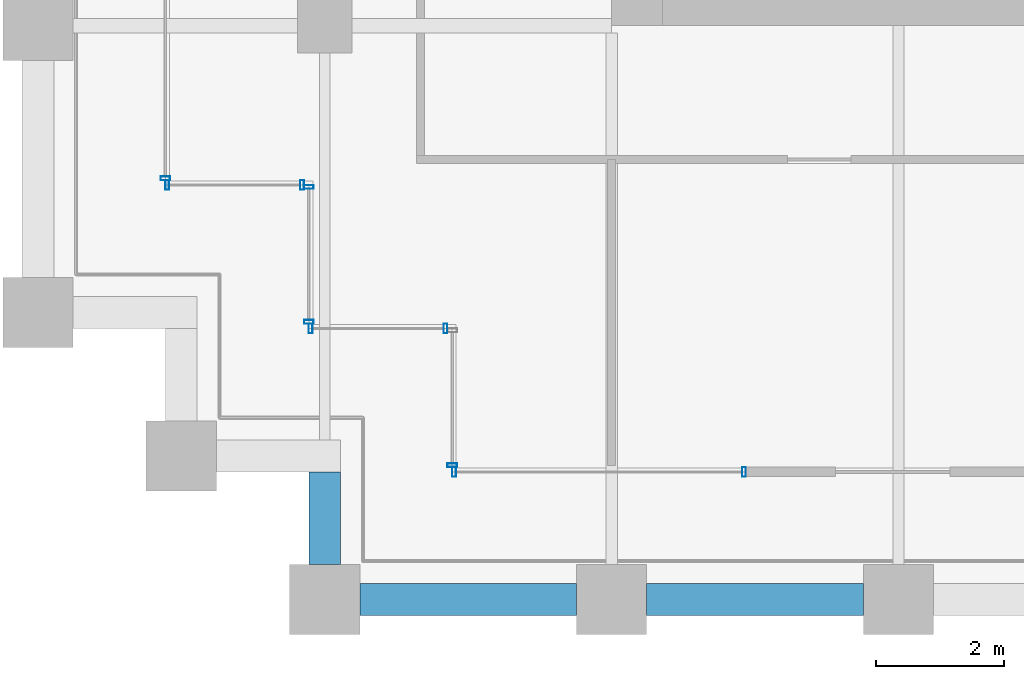
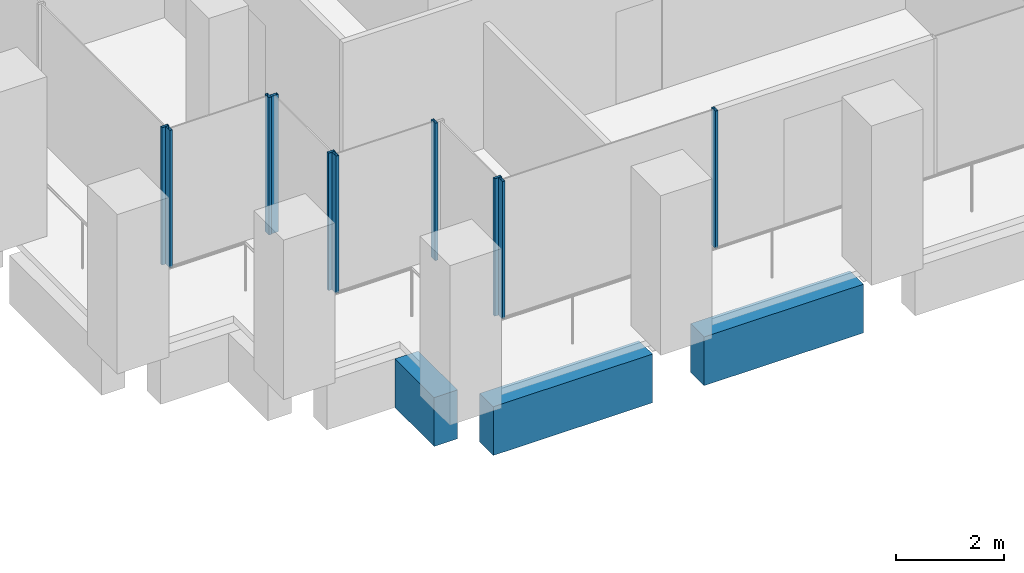
# One storey, part 34 of 56: 10 members, 3 beams, 6 elements without a shape of their own.
"""IFC4 building model written with IfcOpenShell, lengths in metres."""

import ifcopenshell
import ifcopenshell.guid

model = None  # the IFC model being written
_history = None  # IfcOwnerHistory: only IFC2X3 demands one
_inside = {}  # id of a spatial element -> (the spatial element, [elements in it])
_under = {}  # id of a project, library or spatial element -> (it, [spatial elements below it])
_declared = {}  # id of a project -> (the project, [libraries it declares])
_typed = {}  # id of a type object -> (the type object, [elements of that type])
_made_of = {}  # id of a material, layer set ... -> (it, [elements and type objects made of it])


def new_model(schema):
    """Start an empty IFC model of exactly this schema.

    Asked for "IFC4X3", IfcOpenShell would pick the latest addendum, in which some entities
    have other attributes; the version numbers below select the first issue.
    IFC2X3 requires an IfcOwnerHistory on every rooted entity: one is made here for all.
    """
    global model, _history
    if schema == "IFC4X3":
        model = ifcopenshell.file(schema_version=(4, 3, 0, 0))
    else:
        model = ifcopenshell.file(schema=schema)
    _inside.clear()
    _under.clear()
    _declared.clear()
    _typed.clear()
    _made_of.clear()
    _history = None
    if model.schema == "IFC2X3":
        org = make("IfcOrganization", Name="unknown")
        user = make(
            "IfcPersonAndOrganization",
            ThePerson=make("IfcPerson", FamilyName="unknown"),
            TheOrganization=org,
        )
        app = make(
            "IfcApplication",
            ApplicationDeveloper=org,
            Version="unknown",
            ApplicationFullName="unknown",
            ApplicationIdentifier="unknown",
        )
        _history = make(
            "IfcOwnerHistory",
            OwningUser=user,
            OwningApplication=app,
            ChangeAction="ADDED",
            CreationDate=0,
        )
    return model


def make(cls, **values):
    """One entity of the class cls with the attributes given. An attribute that is None is left unset."""
    return model.create_entity(
        cls, **{name: value for name, value in values.items() if value is not None}
    )


def rooted(cls, **values):
    """An entity with a GlobalId (a new one), such as an element, a storey or a relation."""
    return make(cls, GlobalId=ifcopenshell.guid.new(), OwnerHistory=_history, **values)


def si_unit(unit_type, name, prefix=None):
    """IfcSIUnit, for example si_unit("LENGTHUNIT", "METRE", prefix="MILLI")."""
    return make("IfcSIUnit", UnitType=unit_type, Prefix=prefix, Name=name)


def assignment(units):
    """IfcUnitAssignment: the units of a project."""
    return None if units is None else make("IfcUnitAssignment", Units=units)


def point(xyz):
    """IfcCartesianPoint."""
    return None if xyz is None else make("IfcCartesianPoint", Coordinates=xyz)


def direction(xyz):
    """IfcDirection."""
    return None if xyz is None else make("IfcDirection", DirectionRatios=xyz)


def frame(location, z_axis=None, x_axis=None):
    """IfcAxis2Placement3D, a coordinate frame: its origin and axes. An axis left out is left unset."""
    return make(
        "IfcAxis2Placement3D",
        Location=point(location),
        Axis=direction(z_axis),
        RefDirection=direction(x_axis),
    )


def frame_2d(location, x_axis=None):
    """IfcAxis2Placement2D, a coordinate frame in the plane: its origin and x axis."""
    return make(
        "IfcAxis2Placement2D", Location=point(location), RefDirection=direction(x_axis)
    )


def origin():
    """The frame at (0, 0, 0) with its axes left unset."""
    return frame((0.0, 0.0, 0.0))


def origin_2d():
    """The frame at (0, 0) in the plane with its x axis left unset."""
    return frame_2d((0.0, 0.0))


def place(relative_to, where):
    """IfcLocalPlacement: puts the frame where relative to a parent placement (None: the world)."""
    return make(
        "IfcLocalPlacement", PlacementRelTo=relative_to, RelativePlacement=where
    )


def context(
    kind, dimensions, precision=None, world=None, true_north=None, identifier=None
):
    """IfcGeometricRepresentationContext, for example the 3D "Model" context."""
    return make(
        "IfcGeometricRepresentationContext",
        ContextIdentifier=identifier,
        ContextType=kind,
        CoordinateSpaceDimension=dimensions,
        Precision=precision,
        WorldCoordinateSystem=world,
        TrueNorth=true_north,
    )


def subcontext(parent, identifier, kind, view, scale=None):
    """IfcGeometricRepresentationSubContext, for example "Body" below "Model"."""
    return make(
        "IfcGeometricRepresentationSubContext",
        ContextIdentifier=identifier,
        ContextType=kind,
        ParentContext=parent,
        TargetScale=scale,
        TargetView=view,
    )


def project(units=None, contexts=None):
    """IfcProject with its units and contexts."""
    return rooted(
        "IfcProject",
        Name="project",
        RepresentationContexts=contexts,
        UnitsInContext=assignment(units),
    )


def spatial(cls, under=None, at=None, **own):
    """A site, building, storey or space (cls), placed at a placement, below another one or the project."""
    s = rooted(cls, ObjectPlacement=at, **own)
    if under is not None:
        _under.setdefault(under.id(), (under, []))[1].append(s)
    return s


def profile(cls, at=None, kind="AREA", **sizes):
    """A parametric profile (cls). Its sizes go by their IFC names, for example OverallWidth=200.0."""
    return make(cls, ProfileType=kind, Position=at, **sizes)


def rectangle(**sizes):
    """IfcRectangleProfileDef."""
    return profile("IfcRectangleProfileDef", **sizes)


def hollow_rectangle(**sizes):
    """IfcRectangleHollowProfileDef."""
    return profile("IfcRectangleHollowProfileDef", **sizes)


def extrude(swept, where, along, depth):
    """IfcExtrudedAreaSolid: the profile swept, set in the frame where, extruded along a direction by depth."""
    return make(
        "IfcExtrudedAreaSolid",
        SweptArea=swept,
        Position=where,
        ExtrudedDirection=direction(along),
        Depth=depth,
    )


def shape(context_of_items, identifier, shape_type, items):
    """IfcShapeRepresentation: the items that make up one representation, for example the "Body"."""
    return make(
        "IfcShapeRepresentation",
        ContextOfItems=context_of_items,
        RepresentationIdentifier=identifier,
        RepresentationType=shape_type,
        Items=items,
    )


def material(Name=None, Category=None):
    """IfcMaterial."""
    return make("IfcMaterial", Name=Name, Category=Category)


def material_profile(
    of_material, cross_section, Name=None, Category=None, Priority=None
):
    """IfcMaterialProfile: a cross section and its material."""
    return make(
        "IfcMaterialProfile",
        Name=Name,
        Material=of_material,
        Profile=cross_section,
        Priority=Priority,
        Category=Category,
    )


def profile_set(profiles, Name=None, composite=None):
    """IfcMaterialProfileSet."""
    return make(
        "IfcMaterialProfileSet",
        Name=Name,
        MaterialProfiles=profiles,
        CompositeProfile=composite,
    )


def made_of(thing, what):
    """Note that an element or type object is made of a material, layer set ...; save() writes the relation."""
    if what is not None:
        _made_of.setdefault(what.id(), (what, []))[1].append(thing)
    return thing


def type_object(cls, material=None, **own):
    """A type object (cls), such as IfcWallType, which elements share."""
    return made_of(rooted(cls, **own), material)


def element(
    cls,
    number,
    at=None,
    inside=None,
    cuts=None,
    type_object=None,
    material=None,
    context=None,
    identifier="Body",
    shape_type=None,
    held_by="IfcProductDefinitionShape",
    body=None,
    shapes=None,
    **own,
):
    """One element of the class cls, such as IfcWall. Its Tag is "e" and its number.

    at: its placement. inside: the storey or other place that contains it. cuts: it is an
    opening in that element (IfcRelVoidsElement). A single representation is given by context,
    identifier, shape_type and body (its items); several are given by shapes. held_by: the class
    of the entity that holds the representations. save() writes the other relations.
    """
    e = rooted(cls, Tag="e%d" % number, ObjectPlacement=at, **own)
    if body is not None:
        shapes = [shape(context, identifier, shape_type, body)]
    if shapes is not None:
        e.Representation = make(held_by, Representations=shapes)
    if inside is not None:
        _inside.setdefault(inside.id(), (inside, []))[1].append(e)
    if cuts is not None:
        rooted(
            "IfcRelVoidsElement", RelatingBuildingElement=cuts, RelatedOpeningElement=e
        )
    if type_object is not None:
        _typed.setdefault(type_object.id(), (type_object, []))[1].append(e)
    return made_of(e, material)


def aggregate(whole, parts):
    """IfcRelAggregates: a whole, such as a stair, and the parts it consists of."""
    return rooted("IfcRelAggregates", RelatingObject=whole, RelatedObjects=parts)


def save(model, path):
    """Write the relations noted so far, then the file.

    IfcRelAggregates (storeys below a building ...), IfcRelContainedInSpatialStructure (elements
    in a storey), IfcRelDefinesByType, IfcRelAssociatesMaterial and IfcRelDeclares: one each for
    every whole, place, type object, material and project.
    """
    for whole, parts in _under.values():
        aggregate(whole, parts)
    for where, things in _inside.values():
        rooted(
            "IfcRelContainedInSpatialStructure",
            RelatedElements=things,
            RelatingStructure=where,
        )
    for kind, things in _typed.values():
        rooted("IfcRelDefinesByType", RelatedObjects=things, RelatingType=kind)
    for what, things in _made_of.values():
        rooted("IfcRelAssociatesMaterial", RelatedObjects=things, RelatingMaterial=what)
    for by, libraries in _declared.values():
        rooted("IfcRelDeclares", RelatingContext=by, RelatedDefinitions=libraries)
    model.write(path)


model = new_model("IFC4")

# Units and contexts
model_context = context("Model", 3, precision=1e-05, world=origin(), true_north=direction((0.0, 1.0)))
body_context = subcontext(model_context, "Body", "Model", "MODEL_VIEW")
ifc_project = project(units=[si_unit("LENGTHUNIT", "METRE"), si_unit("AREAUNIT", "SQUARE_METRE"), si_unit("VOLUMEUNIT", "CUBIC_METRE"), si_unit("PLANEANGLEUNIT", "RADIAN"), si_unit("MASSUNIT", "GRAM", prefix="KILO")], contexts=[model_context])

# Site, building, storey
site_placement = place(None, origin())
site = spatial("IfcSite", under=ifc_project, at=site_placement, CompositionType="ELEMENT")
building_placement = place(site_placement, origin())
building = spatial("IfcBuilding", under=site, at=building_placement, Name="Altepetl Exchange Towers", CompositionType="ELEMENT")
storey_placement = place(building_placement, frame((0.0, 0.0, 76.199951171875)))
storey = spatial("IfcBuildingStorey", under=building, at=storey_placement, Name="L18", CompositionType="ELEMENT", Elevation=76.199951171875)

# Curtain wall, member
ifc_material_1 = material(Name="Aluminium 6063-T6 glazing", Category="aluminium")
curtain_wall_type = type_object("IfcCurtainWallType", Name="Loggia glazing system", PredefinedType="NOTDEFINED", material=ifc_material_1)
curtain_wall_1_placement = place(storey_placement, origin())
curtain_wall_1 = element("IfcCurtainWall", 1, at=curtain_wall_1_placement, inside=storey, type_object=curtain_wall_type, Name="CW1 run", PredefinedType="NOTDEFINED")
ifc_material_2 = material(Name="Aluminium 6063-T6", Category="aluminium")
ifc_material_profile_1 = material_profile(ifc_material_2, hollow_rectangle(XDim=0.06005859375, YDim=0.14990234375, WallThickness=0.0029296875, at=origin_2d()), Name="Mullion 60x150 aluminium")
ifc_profile_set_1 = profile_set([ifc_material_profile_1], Name="Aluminium 6063-T6")
member_type = type_object("IfcMemberType", Name="Mullion 60x150 aluminium", PredefinedType="MULLION", material=ifc_profile_set_1)
member_1_placement = place(storey_placement, frame((96.5, 33.60498046875, 0.0), z_axis=(0.0, 0.0, 1.0), x_axis=(0.0, -1.0, 0.0)))
member_1 = element("IfcMember", 2, at=member_1_placement, type_object=member_type, Name="MU1 mullion", PredefinedType="MULLION", context=body_context, shape_type="SweptSolid", body=[
    extrude(hollow_rectangle(XDim=0.06005859375, YDim=0.14990234375, WallThickness=0.0029296875, at=origin_2d()), origin(), (0.0, 0.0, 1.0), 3.10009765625),
])
aggregate(curtain_wall_1, [member_1])

# Curtain wall, members
curtain_wall_2_placement = place(storey_placement, origin())
curtain_wall_2 = element("IfcCurtainWall", 3, at=curtain_wall_2_placement, inside=storey, type_object=curtain_wall_type, Name="CW1 run", PredefinedType="NOTDEFINED")
member_2_placement = place(storey_placement, frame((96.530029296875, 33.5, 0.0)))
member_2 = element("IfcMember", 4, at=member_2_placement, type_object=member_type, Name="MU1 mullion", PredefinedType="MULLION", context=body_context, shape_type="SweptSolid", body=[
    extrude(hollow_rectangle(XDim=0.06005859375, YDim=0.14990234375, WallThickness=0.0029296875, at=origin_2d()), origin(), (0.0, 0.0, 1.0), 3.10009765625),
])
member_3_placement = place(storey_placement, frame((98.64501953125, 33.5, 0.0)))
member_3 = element("IfcMember", 5, at=member_3_placement, type_object=member_type, Name="MU1 mullion", PredefinedType="MULLION", context=body_context, shape_type="SweptSolid", body=[
    extrude(hollow_rectangle(XDim=0.06005859375, YDim=0.14990234375, WallThickness=0.0029296875, at=origin_2d()), origin(), (0.0, 0.0, 1.0), 3.10009765625),
])
aggregate(curtain_wall_2, [member_2, member_3])

curtain_wall_3_placement = place(storey_placement, origin())
curtain_wall_3 = element("IfcCurtainWall", 6, at=curtain_wall_3_placement, inside=storey, type_object=curtain_wall_type, Name="CW1 run", PredefinedType="NOTDEFINED")
member_4_placement = place(storey_placement, frame((98.75, 33.469970703125, 0.0), z_axis=(0.0, 0.0, 1.0), x_axis=(0.0, -1.0, 0.0)))
member_4 = element("IfcMember", 7, at=member_4_placement, type_object=member_type, Name="MU1 mullion", PredefinedType="MULLION", context=body_context, shape_type="SweptSolid", body=[
    extrude(hollow_rectangle(XDim=0.06005859375, YDim=0.14990234375, WallThickness=0.0029296875, at=origin_2d()), origin(), (0.0, 0.0, 1.0), 3.10009765625),
])
member_5_placement = place(storey_placement, frame((98.75, 31.35498046875, 0.0), z_axis=(0.0, 0.0, 1.0), x_axis=(0.0, -1.0, 0.0)))
member_5 = element("IfcMember", 8, at=member_5_placement, type_object=member_type, Name="MU1 mullion", PredefinedType="MULLION", context=body_context, shape_type="SweptSolid", body=[
    extrude(hollow_rectangle(XDim=0.06005859375, YDim=0.14990234375, WallThickness=0.0029296875, at=origin_2d()), origin(), (0.0, 0.0, 1.0), 3.10009765625),
])
aggregate(curtain_wall_3, [member_4, member_5])

curtain_wall_4_placement = place(storey_placement, origin())
curtain_wall_4 = element("IfcCurtainWall", 9, at=curtain_wall_4_placement, inside=storey, type_object=curtain_wall_type, Name="CW1 run", PredefinedType="NOTDEFINED")
member_6_placement = place(storey_placement, frame((98.780029296875, 31.25, 0.0)))
member_6 = element("IfcMember", 10, at=member_6_placement, type_object=member_type, Name="MU1 mullion", PredefinedType="MULLION", context=body_context, shape_type="SweptSolid", body=[
    extrude(hollow_rectangle(XDim=0.06005859375, YDim=0.14990234375, WallThickness=0.0029296875, at=origin_2d()), origin(), (0.0, 0.0, 1.0), 3.10009765625),
])
member_7_placement = place(storey_placement, frame((100.89501953125, 31.25, 0.0)))
member_7 = element("IfcMember", 11, at=member_7_placement, type_object=member_type, Name="MU1 mullion", PredefinedType="MULLION", context=body_context, shape_type="SweptSolid", body=[
    extrude(hollow_rectangle(XDim=0.06005859375, YDim=0.14990234375, WallThickness=0.0029296875, at=origin_2d()), origin(), (0.0, 0.0, 1.0), 3.10009765625),
])
aggregate(curtain_wall_4, [member_6, member_7])

# Curtain wall, member
curtain_wall_5_placement = place(storey_placement, origin())
curtain_wall_5 = element("IfcCurtainWall", 12, at=curtain_wall_5_placement, inside=storey, type_object=curtain_wall_type, Name="CW1 run", PredefinedType="NOTDEFINED")
member_8_placement = place(storey_placement, frame((101.0, 29.10498046875, 0.0), z_axis=(0.0, 0.0, 1.0), x_axis=(0.0, -1.0, 0.0)))
member_8 = element("IfcMember", 13, at=member_8_placement, type_object=member_type, Name="MU1 mullion", PredefinedType="MULLION", context=body_context, shape_type="SweptSolid", body=[
    extrude(hollow_rectangle(XDim=0.06005859375, YDim=0.14990234375, WallThickness=0.0029296875, at=origin_2d()), origin(), (0.0, 0.0, 1.0), 3.10009765625),
])
aggregate(curtain_wall_5, [member_8])

# Curtain wall, members
curtain_wall_6_placement = place(storey_placement, origin())
curtain_wall_6 = element("IfcCurtainWall", 14, at=curtain_wall_6_placement, inside=storey, type_object=curtain_wall_type, Name="CW1 run", PredefinedType="NOTDEFINED")
member_9_placement = place(storey_placement, frame((101.030029296875, 29.0, 0.0)))
member_9 = element("IfcMember", 15, at=member_9_placement, type_object=member_type, Name="MU1 mullion", PredefinedType="MULLION", context=body_context, shape_type="SweptSolid", body=[
    extrude(hollow_rectangle(XDim=0.06005859375, YDim=0.14990234375, WallThickness=0.0029296875, at=origin_2d()), origin(), (0.0, 0.0, 1.0), 3.10009765625),
])
member_10_placement = place(storey_placement, frame((105.576171875, 29.0, 0.0)))
member_10 = element("IfcMember", 16, at=member_10_placement, type_object=member_type, Name="MU1 mullion", PredefinedType="MULLION", context=body_context, shape_type="SweptSolid", body=[
    extrude(hollow_rectangle(XDim=0.06005859375, YDim=0.14990234375, WallThickness=0.0029296875, at=origin_2d()), origin(), (0.0, 0.0, 1.0), 3.10009765625),
])
aggregate(curtain_wall_6, [member_9, member_10])

# Beams
ifc_material_3 = material(Name="Concrete C50/60 precast with tezontle facing", Category="concrete")
ifc_material_profile_2 = material_profile(ifc_material_3, rectangle(XDim=0.5, YDim=1.10009765625, at=origin_2d()), Name="500 x 1100")
ifc_profile_set_2 = profile_set([ifc_material_profile_2], Name="Concrete C50/60 precast with tezontle facing")
beam_type = type_object("IfcBeamType", Name="Spandrel beam 500x1100 tezontle", PredefinedType="SPANDREL", material=ifc_profile_set_2)
for number, where, z_axis, x_axis, name in (
    (17, (99.550048828125, 27.0, -0.699951171875), (1.0, 0.0, 0.0), (0.0, 1.0, 0.0), "sp:B:L18:000"),
    (18, (104.050048828125, 27.0, -0.699951171875), (1.0, 0.0, 0.0), (0.0, 1.0, 0.0), "sp:B:L18:001"),
):
    element("IfcBeam", number, at=place(storey_placement, frame(where, z_axis=z_axis, x_axis=x_axis)), inside=storey, type_object=beam_type, Name=name, PredefinedType="SPANDREL", context=body_context, shape_type="SweptSolid", body=[
        extrude(rectangle(XDim=0.5, YDim=1.10009765625, at=origin_2d()), origin(), (0.0, 0.0, 1.0), 3.39990234375),
    ])
beam_placement = place(storey_placement, frame((99.0, 29.0, -0.699951171875), z_axis=(0.0, -1.0, 0.0), x_axis=(1.0, 0.0, 0.0)))
element("IfcBeam", 19, at=beam_placement, inside=storey, type_object=beam_type, Name="sp:B:L18:035", PredefinedType="SPANDREL", context=body_context, shape_type="SweptSolid", body=[
    extrude(rectangle(XDim=0.5, YDim=1.10009765625, at=origin_2d()), origin(), (0.0, 0.0, 1.0), 1.449951171875),
])

save(model, "model.ifc")
